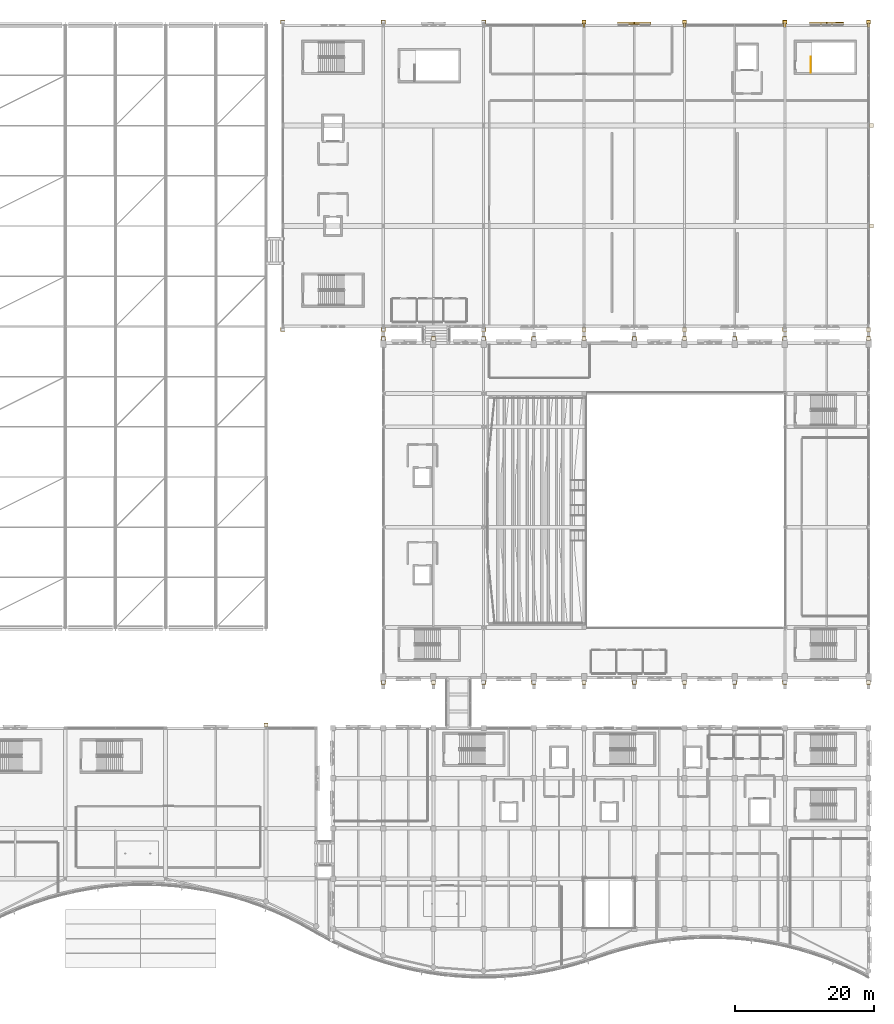
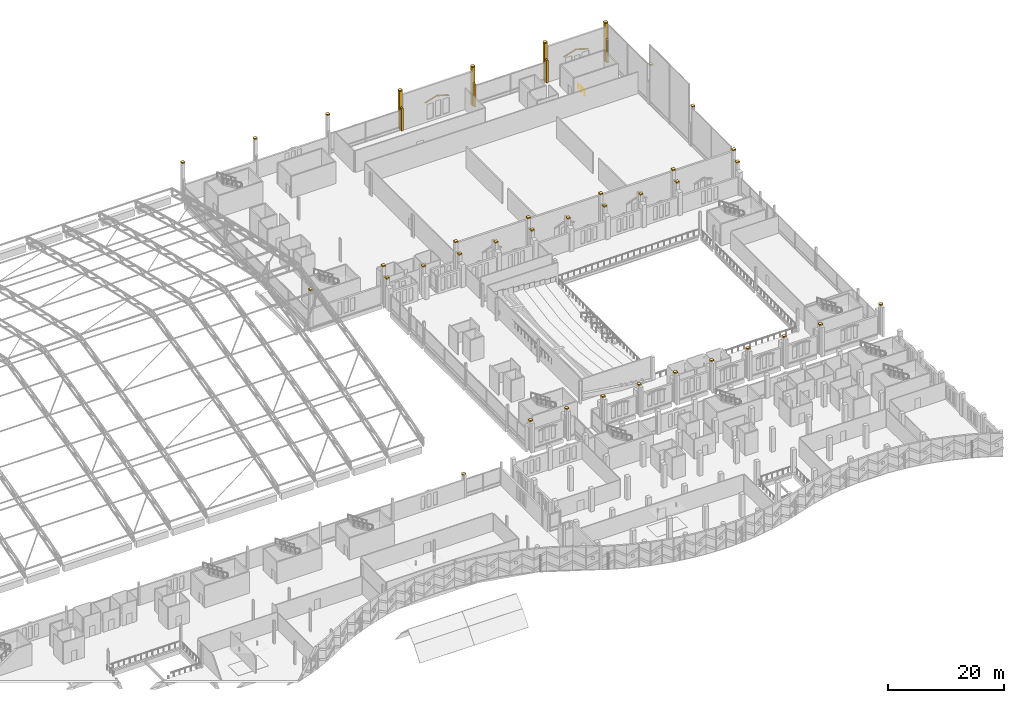
# One storey, part 193 of 193: 49 coverings, 1 railing.
"""IFC4 building model written with IfcOpenShell, lengths in metres."""

from ifc_helpers import new_model, si_unit, direction, frame, origin, origin_2d, place, context, subcontext, project, spatial, polyline, circle, outline, extrude, material, layer, layer_set, type_object, element, save


model = new_model("IFC4")

# Units and contexts
model_context = context("Model", 3, precision=1e-05, world=origin(), true_north=direction((0.0, 1.0)))
body_context = subcontext(model_context, "Body", "Model", "MODEL_VIEW")
ifc_project = project(units=[si_unit("LENGTHUNIT", "METRE"), si_unit("AREAUNIT", "SQUARE_METRE"), si_unit("VOLUMEUNIT", "CUBIC_METRE"), si_unit("PLANEANGLEUNIT", "RADIAN"), si_unit("MASSUNIT", "GRAM", prefix="KILO")], contexts=[model_context])

# Site, building, storey
site_placement = place(None, origin())
site = spatial("IfcSite", under=ifc_project, at=site_placement, CompositionType="ELEMENT")
building_placement = place(site_placement, origin())
building = spatial("IfcBuilding", under=site, at=building_placement, Name="Cendralis Lancet Convention Centre", CompositionType="ELEMENT")
storey_placement = place(building_placement, frame((0.0, 0.0, 10.199951171875)))
storey = spatial("IfcBuildingStorey", under=building, at=storey_placement, Name="L02", CompositionType="ELEMENT", Elevation=10.199951171875)

# Coverings
ifc_material_1 = material(Name="Warm buff sandstone chevron cassette", Category="masonry")
ifc_layer_1 = layer(ifc_material_1, 0.06005859375, Name="Warm buff sandstone chevron cassette")
ifc_layer_set_1 = layer_set([ifc_layer_1], Name="Warm buff sandstone chevron cassette")
covering_type_1 = type_object("IfcCoveringType", Name="ARC-CV-CLAD1", PredefinedType="CLADDING", material=ifc_layer_set_1)
covering_1_placement = place(storey_placement, frame((172.830078125, 137.239990234375, 3.8701171875), z_axis=(-0.291811246138, 0.0, 0.956475925796), x_axis=(0.0, -1.0, 0.0)))
element("IfcCovering", 1, at=covering_1_placement, inside=storey, type_object=covering_type_1, Name="L02 Gothic Pointed Lancet Hood-Mould #0207L", PredefinedType="CLADDING", context=body_context, shape_type="SweptSolid", body=[
    extrude(outline(polyline([(0.0, 0.0), (0.284912109375, 0.0), (0.284912109375, 2.4672479647474272), (0.0, 2.4672479647474272), (0.0, 0.0)])), origin(), (0.0, 0.0, -1.0), 0.090087890625),
])
covering_2_placement = place(storey_placement, frame((175.2099609375, 137.239990234375, 4.590087890625), z_axis=(0.291783629925, 0.0, 0.956484350791), x_axis=(0.0, -1.0, 0.0)))
element("IfcCovering", 2, at=covering_2_placement, inside=storey, type_object=covering_type_1, Name="L02 Gothic Pointed Lancet Hood-Mould #0208R", PredefinedType="CLADDING", context=body_context, shape_type="SweptSolid", body=[
    extrude(outline(polyline([(0.0, 0.0), (0.284912109375, 0.0), (0.284912109375, 2.467481480406239), (0.0, 2.467481480406239), (0.0, 0.0)])), origin(), (0.0, 0.0, -1.0), 0.090087890625),
])
for number, where, z_axis, x_axis, name in (
    (3, (200.360107421875, 137.239990234375, 3.900146484375), (-0.284085049763, 0.0, 0.958799084533), (0.0, -1.0, 0.0), "L02 Gothic Pointed Lancet Hood-Mould #0209L"),
    (4, (202.81005859375, 137.239990234375, 4.6201171875), (0.284085049763, 0.0, 0.958799084533), (0.0, -1.0, 0.0), "L02 Gothic Pointed Lancet Hood-Mould #0210R"),
):
    element("IfcCovering", number, at=place(storey_placement, frame(where, z_axis=z_axis, x_axis=x_axis)), inside=storey, type_object=covering_type_1, Name=name, PredefinedType="CLADDING", context=body_context, shape_type="SweptSolid", body=[
        extrude(outline(polyline([(0.0, 0.0), (0.284912109375, 0.0), (0.284912109375, 2.5343491455339793), (0.0, 2.5343491455339793), (0.0, 0.0)])), origin(), (0.0, 0.0, -1.0), 0.090087890625),
    ])
covering_3_placement = place(storey_placement, origin())
element("IfcCovering", 5, at=covering_3_placement, inside=storey, type_object=covering_type_1, Name="Gothic Stepped Stone Buttress Shaft #0058", PredefinedType="CLADDING", context=body_context, shape_type="SweptSolid", body=[
    extrude(outline(polyline([(168.280029296875, 137.47998046875), (167.719970703125, 137.47998046875), (167.719970703125, 136.949951171875), (168.280029296875, 136.949951171875), (168.280029296875, 137.47998046875)])), origin(), (0.0, 0.0, 1.0), 8.0),
])
covering_4_placement = place(storey_placement, origin())
element("IfcCovering", 6, at=covering_4_placement, inside=storey, type_object=covering_type_1, Name="Gothic Stepped Stone Buttress Shaft #0060", PredefinedType="CLADDING", context=body_context, shape_type="SweptSolid", body=[
    extrude(outline(polyline([(182.679931640625, 137.47998046875), (182.1201171875, 137.47998046875), (182.1201171875, 136.949951171875), (182.679931640625, 136.949951171875), (182.679931640625, 137.47998046875)])), origin(), (0.0, 0.0, 1.0), 8.0),
])
covering_5_placement = place(storey_placement, origin())
element("IfcCovering", 7, at=covering_5_placement, inside=storey, type_object=covering_type_1, Name="Gothic Stepped Stone Buttress Shaft #0062", PredefinedType="CLADDING", context=body_context, shape_type="SweptSolid", body=[
    extrude(outline(polyline([(197.080078125, 137.47998046875), (196.52001953125, 137.47998046875), (196.52001953125, 136.949951171875), (197.080078125, 136.949951171875), (197.080078125, 137.47998046875)])), origin(), (0.0, 0.0, 1.0), 8.0),
])
covering_6_placement = place(storey_placement, origin())
element("IfcCovering", 8, at=covering_6_placement, inside=storey, type_object=covering_type_1, Name="Gothic Stepped Stone Buttress Shaft #0064", PredefinedType="CLADDING", context=body_context, shape_type="SweptSolid", body=[
    extrude(outline(polyline([(209.080078125, 137.47998046875), (208.52001953125, 137.47998046875), (208.52001953125, 136.949951171875), (209.080078125, 136.949951171875), (209.080078125, 137.47998046875)])), origin(), (0.0, 0.0, 1.0), 8.0),
])
covering_7_placement = place(storey_placement, origin())
element("IfcCovering", 9, at=covering_7_placement, inside=storey, type_object=covering_type_1, Name="Exterior Column Stone Fire-Casing L02 #063", PredefinedType="CLADDING", context=body_context, shape_type="SweptSolid", body=[
    extrude(outline(polyline([(167.837890625, 136.462890625), (168.162109375, 136.462890625), (168.162109375, 137.136962890625), (167.837890625, 137.136962890625), (167.837890625, 136.462890625)])), origin(), (0.0, 0.0, 1.0), 4.800048828125),
])
covering_8_placement = place(storey_placement, origin())
element("IfcCovering", 10, at=covering_8_placement, inside=storey, type_object=covering_type_1, Name="Exterior Column Stone Fire-Casing L02 #069", PredefinedType="CLADDING", context=body_context, shape_type="SweptSolid", body=[
    extrude(outline(polyline([(182.238037109375, 136.462890625), (182.56201171875, 136.462890625), (182.56201171875, 137.136962890625), (182.238037109375, 137.136962890625), (182.238037109375, 136.462890625)])), origin(), (0.0, 0.0, 1.0), 4.800048828125),
])
covering_9_placement = place(storey_placement, origin())
element("IfcCovering", 11, at=covering_9_placement, inside=storey, type_object=covering_type_1, Name="Exterior Column Stone Fire-Casing L02 #075", PredefinedType="CLADDING", context=body_context, shape_type="SweptSolid", body=[
    extrude(outline(polyline([(196.637939453125, 136.462890625), (196.9619140625, 136.462890625), (196.9619140625, 137.136962890625), (196.637939453125, 137.136962890625), (196.637939453125, 136.462890625)])), origin(), (0.0, 0.0, 1.0), 4.800048828125),
])
covering_10_placement = place(storey_placement, origin())
element("IfcCovering", 12, at=covering_10_placement, inside=storey, type_object=covering_type_1, Name="Exterior Column Stone Fire-Casing L02 #087", PredefinedType="CLADDING", context=body_context, shape_type="SweptSolid", body=[
    extrude(outline(polyline([(208.637939453125, 136.462890625), (208.9619140625, 136.462890625), (208.9619140625, 137.136962890625), (208.637939453125, 137.136962890625), (208.637939453125, 136.462890625)])), origin(), (0.0, 0.0, 1.0), 4.800048828125),
])
ifc_material_2 = material(Name="Dark Andean slate chevron cassette", Category="masonry")
ifc_layer_2 = layer(ifc_material_2, 0.06005859375, Name="Dark Andean slate chevron cassette")
ifc_layer_set_2 = layer_set([ifc_layer_2], Name="Dark Andean slate chevron cassette")
covering_type_2 = type_object("IfcCoveringType", Name="ARC-CV-CLAD2", PredefinedType="CLADDING", material=ifc_layer_set_2)
covering_11_placement = place(storey_placement, frame((0.0, 0.0, 6.199951171875)))
element("IfcCovering", 13, at=covering_11_placement, inside=storey, type_object=covering_type_2, Name="Gothic Buttress Slate Pinnacle Cap #0031", PredefinedType="CLADDING", context=body_context, shape_type="SweptSolid", body=[
    extrude(outline(polyline([(138.889892578125, 42.239990234375), (139.510009765625, 42.239990234375), (139.510009765625, 42.830078125), (138.889892578125, 42.830078125), (138.889892578125, 42.239990234375)])), origin(), (0.0, 0.0, 1.0), 0.260009765625),
])
covering_12_placement = place(storey_placement, frame((0.0, 0.0, 6.199951171875)))
element("IfcCovering", 14, at=covering_12_placement, inside=storey, type_object=covering_type_2, Name="Gothic Buttress Slate Pinnacle Cap #0032", PredefinedType="CLADDING", context=body_context, shape_type="SweptSolid", body=[
    extrude(outline(polyline([(139.510009765625, 92.159912109375), (138.889892578125, 92.159912109375), (138.889892578125, 91.570068359375), (139.510009765625, 91.570068359375), (139.510009765625, 92.159912109375)])), origin(), (0.0, 0.0, 1.0), 0.260009765625),
])
covering_13_placement = place(storey_placement, frame((0.0, 0.0, 6.199951171875)))
element("IfcCovering", 15, at=covering_13_placement, inside=storey, type_object=covering_type_2, Name="Gothic Buttress Slate Pinnacle Cap #0033", PredefinedType="CLADDING", context=body_context, shape_type="SweptSolid", body=[
    extrude(outline(polyline([(146.090087890625, 42.239990234375), (146.7099609375, 42.239990234375), (146.7099609375, 42.830078125), (146.090087890625, 42.830078125), (146.090087890625, 42.239990234375)])), origin(), (0.0, 0.0, 1.0), 0.260009765625),
])
covering_14_placement = place(storey_placement, frame((0.0, 0.0, 6.199951171875)))
element("IfcCovering", 16, at=covering_14_placement, inside=storey, type_object=covering_type_2, Name="Gothic Buttress Slate Pinnacle Cap #0034", PredefinedType="CLADDING", context=body_context, shape_type="SweptSolid", body=[
    extrude(outline(polyline([(146.7099609375, 92.159912109375), (146.090087890625, 92.159912109375), (146.090087890625, 91.570068359375), (146.7099609375, 91.570068359375), (146.7099609375, 92.159912109375)])), origin(), (0.0, 0.0, 1.0), 0.260009765625),
])
covering_15_placement = place(storey_placement, frame((0.0, 0.0, 6.199951171875)))
element("IfcCovering", 17, at=covering_15_placement, inside=storey, type_object=covering_type_2, Name="Gothic Buttress Slate Pinnacle Cap #0035", PredefinedType="CLADDING", context=body_context, shape_type="SweptSolid", body=[
    extrude(outline(polyline([(153.2900390625, 42.239990234375), (153.909912109375, 42.239990234375), (153.909912109375, 42.830078125), (153.2900390625, 42.830078125), (153.2900390625, 42.239990234375)])), origin(), (0.0, 0.0, 1.0), 0.260009765625),
])
covering_16_placement = place(storey_placement, frame((0.0, 0.0, 6.199951171875)))
element("IfcCovering", 18, at=covering_16_placement, inside=storey, type_object=covering_type_2, Name="Gothic Buttress Slate Pinnacle Cap #0036", PredefinedType="CLADDING", context=body_context, shape_type="SweptSolid", body=[
    extrude(outline(polyline([(153.909912109375, 92.159912109375), (153.2900390625, 92.159912109375), (153.2900390625, 91.570068359375), (153.909912109375, 91.570068359375), (153.909912109375, 92.159912109375)])), origin(), (0.0, 0.0, 1.0), 0.260009765625),
])
covering_17_placement = place(storey_placement, frame((0.0, 0.0, 6.199951171875)))
element("IfcCovering", 19, at=covering_17_placement, inside=storey, type_object=covering_type_2, Name="Gothic Buttress Slate Pinnacle Cap #0037", PredefinedType="CLADDING", context=body_context, shape_type="SweptSolid", body=[
    extrude(outline(polyline([(160.489990234375, 42.239990234375), (161.110107421875, 42.239990234375), (161.110107421875, 42.830078125), (160.489990234375, 42.830078125), (160.489990234375, 42.239990234375)])), origin(), (0.0, 0.0, 1.0), 0.260009765625),
])
covering_18_placement = place(storey_placement, frame((0.0, 0.0, 6.199951171875)))
element("IfcCovering", 20, at=covering_18_placement, inside=storey, type_object=covering_type_2, Name="Gothic Buttress Slate Pinnacle Cap #0038", PredefinedType="CLADDING", context=body_context, shape_type="SweptSolid", body=[
    extrude(outline(polyline([(161.110107421875, 92.159912109375), (160.489990234375, 92.159912109375), (160.489990234375, 91.570068359375), (161.110107421875, 91.570068359375), (161.110107421875, 92.159912109375)])), origin(), (0.0, 0.0, 1.0), 0.260009765625),
])
covering_19_placement = place(storey_placement, frame((0.0, 0.0, 6.199951171875)))
element("IfcCovering", 21, at=covering_19_placement, inside=storey, type_object=covering_type_2, Name="Gothic Buttress Slate Pinnacle Cap #0039", PredefinedType="CLADDING", context=body_context, shape_type="SweptSolid", body=[
    extrude(outline(polyline([(167.68994140625, 42.239990234375), (168.31005859375, 42.239990234375), (168.31005859375, 42.830078125), (167.68994140625, 42.830078125), (167.68994140625, 42.239990234375)])), origin(), (0.0, 0.0, 1.0), 0.260009765625),
])
covering_20_placement = place(storey_placement, frame((0.0, 0.0, 6.199951171875)))
element("IfcCovering", 22, at=covering_20_placement, inside=storey, type_object=covering_type_2, Name="Gothic Buttress Slate Pinnacle Cap #0040", PredefinedType="CLADDING", context=body_context, shape_type="SweptSolid", body=[
    extrude(outline(polyline([(168.31005859375, 92.159912109375), (167.68994140625, 92.159912109375), (167.68994140625, 91.570068359375), (168.31005859375, 91.570068359375), (168.31005859375, 92.159912109375)])), origin(), (0.0, 0.0, 1.0), 0.260009765625),
])
covering_21_placement = place(storey_placement, frame((0.0, 0.0, 6.199951171875)))
element("IfcCovering", 23, at=covering_21_placement, inside=storey, type_object=covering_type_2, Name="Gothic Buttress Slate Pinnacle Cap #0041", PredefinedType="CLADDING", context=body_context, shape_type="SweptSolid", body=[
    extrude(outline(polyline([(174.889892578125, 42.239990234375), (175.510009765625, 42.239990234375), (175.510009765625, 42.830078125), (174.889892578125, 42.830078125), (174.889892578125, 42.239990234375)])), origin(), (0.0, 0.0, 1.0), 0.260009765625),
])
covering_22_placement = place(storey_placement, frame((0.0, 0.0, 6.199951171875)))
element("IfcCovering", 24, at=covering_22_placement, inside=storey, type_object=covering_type_2, Name="Gothic Buttress Slate Pinnacle Cap #0042", PredefinedType="CLADDING", context=body_context, shape_type="SweptSolid", body=[
    extrude(outline(polyline([(175.510009765625, 92.159912109375), (174.889892578125, 92.159912109375), (174.889892578125, 91.570068359375), (175.510009765625, 91.570068359375), (175.510009765625, 92.159912109375)])), origin(), (0.0, 0.0, 1.0), 0.260009765625),
])
covering_23_placement = place(storey_placement, frame((0.0, 0.0, 6.199951171875)))
element("IfcCovering", 25, at=covering_23_placement, inside=storey, type_object=covering_type_2, Name="Gothic Buttress Slate Pinnacle Cap #0043", PredefinedType="CLADDING", context=body_context, shape_type="SweptSolid", body=[
    extrude(outline(polyline([(182.090087890625, 42.239990234375), (182.7099609375, 42.239990234375), (182.7099609375, 42.830078125), (182.090087890625, 42.830078125), (182.090087890625, 42.239990234375)])), origin(), (0.0, 0.0, 1.0), 0.260009765625),
])
covering_24_placement = place(storey_placement, frame((0.0, 0.0, 6.199951171875)))
element("IfcCovering", 26, at=covering_24_placement, inside=storey, type_object=covering_type_2, Name="Gothic Buttress Slate Pinnacle Cap #0044", PredefinedType="CLADDING", context=body_context, shape_type="SweptSolid", body=[
    extrude(outline(polyline([(182.7099609375, 92.159912109375), (182.090087890625, 92.159912109375), (182.090087890625, 91.570068359375), (182.7099609375, 91.570068359375), (182.7099609375, 92.159912109375)])), origin(), (0.0, 0.0, 1.0), 0.260009765625),
])
covering_25_placement = place(storey_placement, frame((0.0, 0.0, 6.199951171875)))
element("IfcCovering", 27, at=covering_25_placement, inside=storey, type_object=covering_type_2, Name="Gothic Buttress Slate Pinnacle Cap #0045", PredefinedType="CLADDING", context=body_context, shape_type="SweptSolid", body=[
    extrude(outline(polyline([(189.2900390625, 42.239990234375), (189.909912109375, 42.239990234375), (189.909912109375, 42.830078125), (189.2900390625, 42.830078125), (189.2900390625, 42.239990234375)])), origin(), (0.0, 0.0, 1.0), 0.260009765625),
])
covering_26_placement = place(storey_placement, frame((0.0, 0.0, 6.199951171875)))
element("IfcCovering", 28, at=covering_26_placement, inside=storey, type_object=covering_type_2, Name="Gothic Buttress Slate Pinnacle Cap #0046", PredefinedType="CLADDING", context=body_context, shape_type="SweptSolid", body=[
    extrude(outline(polyline([(189.909912109375, 92.159912109375), (189.2900390625, 92.159912109375), (189.2900390625, 91.570068359375), (189.909912109375, 91.570068359375), (189.909912109375, 92.159912109375)])), origin(), (0.0, 0.0, 1.0), 0.260009765625),
])
covering_27_placement = place(storey_placement, frame((0.0, 0.0, 6.199951171875)))
element("IfcCovering", 29, at=covering_27_placement, inside=storey, type_object=covering_type_2, Name="Gothic Buttress Slate Pinnacle Cap #0047", PredefinedType="CLADDING", context=body_context, shape_type="SweptSolid", body=[
    extrude(outline(polyline([(196.489990234375, 42.239990234375), (197.110107421875, 42.239990234375), (197.110107421875, 42.830078125), (196.489990234375, 42.830078125), (196.489990234375, 42.239990234375)])), origin(), (0.0, 0.0, 1.0), 0.260009765625),
])
covering_28_placement = place(storey_placement, frame((0.0, 0.0, 6.199951171875)))
element("IfcCovering", 30, at=covering_28_placement, inside=storey, type_object=covering_type_2, Name="Gothic Buttress Slate Pinnacle Cap #0048", PredefinedType="CLADDING", context=body_context, shape_type="SweptSolid", body=[
    extrude(outline(polyline([(197.110107421875, 92.159912109375), (196.489990234375, 92.159912109375), (196.489990234375, 91.570068359375), (197.110107421875, 91.570068359375), (197.110107421875, 92.159912109375)])), origin(), (0.0, 0.0, 1.0), 0.260009765625),
])
covering_29_placement = place(storey_placement, frame((0.0, 0.0, 6.199951171875)))
element("IfcCovering", 31, at=covering_29_placement, inside=storey, type_object=covering_type_2, Name="Gothic Buttress Slate Pinnacle Cap #0049", PredefinedType="CLADDING", context=body_context, shape_type="SweptSolid", body=[
    extrude(outline(polyline([(208.489990234375, 42.239990234375), (209.110107421875, 42.239990234375), (209.110107421875, 42.830078125), (208.489990234375, 42.830078125), (208.489990234375, 42.239990234375)])), origin(), (0.0, 0.0, 1.0), 0.260009765625),
])
covering_30_placement = place(storey_placement, frame((0.0, 0.0, 6.199951171875)))
element("IfcCovering", 32, at=covering_30_placement, inside=storey, type_object=covering_type_2, Name="Gothic Buttress Slate Pinnacle Cap #0050", PredefinedType="CLADDING", context=body_context, shape_type="SweptSolid", body=[
    extrude(outline(polyline([(209.110107421875, 92.159912109375), (208.489990234375, 92.159912109375), (208.489990234375, 91.570068359375), (209.110107421875, 91.570068359375), (209.110107421875, 92.159912109375)])), origin(), (0.0, 0.0, 1.0), 0.260009765625),
])
covering_31_placement = place(storey_placement, frame((0.0, 0.0, 8.0)))
element("IfcCovering", 33, at=covering_31_placement, inside=storey, type_object=covering_type_2, Name="Gothic Buttress Slate Pinnacle Cap #0051", PredefinedType="CLADDING", context=body_context, shape_type="SweptSolid", body=[
    extrude(outline(polyline([(124.489990234375, 92.860107421875), (125.110107421875, 92.860107421875), (125.110107421875, 93.449951171875), (124.489990234375, 93.449951171875), (124.489990234375, 92.860107421875)])), origin(), (0.0, 0.0, 1.0), 0.260009765625),
])
covering_32_placement = place(storey_placement, frame((0.0, 0.0, 8.0)))
element("IfcCovering", 34, at=covering_32_placement, inside=storey, type_object=covering_type_2, Name="Gothic Buttress Slate Pinnacle Cap #0052", PredefinedType="CLADDING", context=body_context, shape_type="SweptSolid", body=[
    extrude(outline(polyline([(125.110107421875, 137.5400390625), (124.489990234375, 137.5400390625), (124.489990234375, 136.949951171875), (125.110107421875, 136.949951171875), (125.110107421875, 137.5400390625)])), origin(), (0.0, 0.0, 1.0), 0.260009765625),
])
covering_33_placement = place(storey_placement, frame((0.0, 0.0, 8.0)))
element("IfcCovering", 35, at=covering_33_placement, inside=storey, type_object=covering_type_2, Name="Gothic Buttress Slate Pinnacle Cap #0053", PredefinedType="CLADDING", context=body_context, shape_type="SweptSolid", body=[
    extrude(outline(polyline([(138.889892578125, 92.860107421875), (139.510009765625, 92.860107421875), (139.510009765625, 93.449951171875), (138.889892578125, 93.449951171875), (138.889892578125, 92.860107421875)])), origin(), (0.0, 0.0, 1.0), 0.260009765625),
])
covering_34_placement = place(storey_placement, frame((0.0, 0.0, 8.0)))
element("IfcCovering", 36, at=covering_34_placement, inside=storey, type_object=covering_type_2, Name="Gothic Buttress Slate Pinnacle Cap #0054", PredefinedType="CLADDING", context=body_context, shape_type="SweptSolid", body=[
    extrude(outline(polyline([(139.510009765625, 137.5400390625), (138.889892578125, 137.5400390625), (138.889892578125, 136.949951171875), (139.510009765625, 136.949951171875), (139.510009765625, 137.5400390625)])), origin(), (0.0, 0.0, 1.0), 0.260009765625),
])
covering_35_placement = place(storey_placement, frame((0.0, 0.0, 8.0)))
element("IfcCovering", 37, at=covering_35_placement, inside=storey, type_object=covering_type_2, Name="Gothic Buttress Slate Pinnacle Cap #0055", PredefinedType="CLADDING", context=body_context, shape_type="SweptSolid", body=[
    extrude(outline(polyline([(153.2900390625, 92.860107421875), (153.909912109375, 92.860107421875), (153.909912109375, 93.449951171875), (153.2900390625, 93.449951171875), (153.2900390625, 92.860107421875)])), origin(), (0.0, 0.0, 1.0), 0.260009765625),
])
covering_36_placement = place(storey_placement, frame((0.0, 0.0, 8.0)))
element("IfcCovering", 38, at=covering_36_placement, inside=storey, type_object=covering_type_2, Name="Gothic Buttress Slate Pinnacle Cap #0056", PredefinedType="CLADDING", context=body_context, shape_type="SweptSolid", body=[
    extrude(outline(polyline([(153.909912109375, 137.5400390625), (153.2900390625, 137.5400390625), (153.2900390625, 136.949951171875), (153.909912109375, 136.949951171875), (153.909912109375, 137.5400390625)])), origin(), (0.0, 0.0, 1.0), 0.260009765625),
])
covering_37_placement = place(storey_placement, frame((0.0, 0.0, 8.0)))
element("IfcCovering", 39, at=covering_37_placement, inside=storey, type_object=covering_type_2, Name="Gothic Buttress Slate Pinnacle Cap #0057", PredefinedType="CLADDING", context=body_context, shape_type="SweptSolid", body=[
    extrude(outline(polyline([(167.68994140625, 92.860107421875), (168.31005859375, 92.860107421875), (168.31005859375, 93.449951171875), (167.68994140625, 93.449951171875), (167.68994140625, 92.860107421875)])), origin(), (0.0, 0.0, 1.0), 0.260009765625),
])
covering_38_placement = place(storey_placement, frame((0.0, 0.0, 8.0)))
element("IfcCovering", 40, at=covering_38_placement, inside=storey, type_object=covering_type_2, Name="Gothic Buttress Slate Pinnacle Cap #0058", PredefinedType="CLADDING", context=body_context, shape_type="SweptSolid", body=[
    extrude(outline(polyline([(168.31005859375, 137.5400390625), (167.68994140625, 137.5400390625), (167.68994140625, 136.949951171875), (168.31005859375, 136.949951171875), (168.31005859375, 137.5400390625)])), origin(), (0.0, 0.0, 1.0), 0.260009765625),
])
covering_39_placement = place(storey_placement, frame((0.0, 0.0, 8.0)))
element("IfcCovering", 41, at=covering_39_placement, inside=storey, type_object=covering_type_2, Name="Gothic Buttress Slate Pinnacle Cap #0059", PredefinedType="CLADDING", context=body_context, shape_type="SweptSolid", body=[
    extrude(outline(polyline([(182.090087890625, 92.860107421875), (182.7099609375, 92.860107421875), (182.7099609375, 93.449951171875), (182.090087890625, 93.449951171875), (182.090087890625, 92.860107421875)])), origin(), (0.0, 0.0, 1.0), 0.260009765625),
])
covering_40_placement = place(storey_placement, frame((0.0, 0.0, 8.0)))
element("IfcCovering", 42, at=covering_40_placement, inside=storey, type_object=covering_type_2, Name="Gothic Buttress Slate Pinnacle Cap #0060", PredefinedType="CLADDING", context=body_context, shape_type="SweptSolid", body=[
    extrude(outline(polyline([(182.7099609375, 137.5400390625), (182.090087890625, 137.5400390625), (182.090087890625, 136.949951171875), (182.7099609375, 136.949951171875), (182.7099609375, 137.5400390625)])), origin(), (0.0, 0.0, 1.0), 0.260009765625),
])
covering_41_placement = place(storey_placement, frame((0.0, 0.0, 8.0)))
element("IfcCovering", 43, at=covering_41_placement, inside=storey, type_object=covering_type_2, Name="Gothic Buttress Slate Pinnacle Cap #0061", PredefinedType="CLADDING", context=body_context, shape_type="SweptSolid", body=[
    extrude(outline(polyline([(196.489990234375, 92.860107421875), (197.110107421875, 92.860107421875), (197.110107421875, 93.449951171875), (196.489990234375, 93.449951171875), (196.489990234375, 92.860107421875)])), origin(), (0.0, 0.0, 1.0), 0.260009765625),
])
covering_42_placement = place(storey_placement, frame((0.0, 0.0, 8.0)))
element("IfcCovering", 44, at=covering_42_placement, inside=storey, type_object=covering_type_2, Name="Gothic Buttress Slate Pinnacle Cap #0062", PredefinedType="CLADDING", context=body_context, shape_type="SweptSolid", body=[
    extrude(outline(polyline([(197.110107421875, 137.5400390625), (196.489990234375, 137.5400390625), (196.489990234375, 136.949951171875), (197.110107421875, 136.949951171875), (197.110107421875, 137.5400390625)])), origin(), (0.0, 0.0, 1.0), 0.260009765625),
])
covering_43_placement = place(storey_placement, frame((0.0, 0.0, 8.0)))
element("IfcCovering", 45, at=covering_43_placement, inside=storey, type_object=covering_type_2, Name="Gothic Buttress Slate Pinnacle Cap #0063", PredefinedType="CLADDING", context=body_context, shape_type="SweptSolid", body=[
    extrude(outline(polyline([(208.489990234375, 92.860107421875), (209.110107421875, 92.860107421875), (209.110107421875, 93.449951171875), (208.489990234375, 93.449951171875), (208.489990234375, 92.860107421875)])), origin(), (0.0, 0.0, 1.0), 0.260009765625),
])
covering_44_placement = place(storey_placement, frame((0.0, 0.0, 8.0)))
element("IfcCovering", 46, at=covering_44_placement, inside=storey, type_object=covering_type_2, Name="Gothic Buttress Slate Pinnacle Cap #0064", PredefinedType="CLADDING", context=body_context, shape_type="SweptSolid", body=[
    extrude(outline(polyline([(209.110107421875, 137.5400390625), (208.489990234375, 137.5400390625), (208.489990234375, 136.949951171875), (209.110107421875, 136.949951171875), (209.110107421875, 137.5400390625)])), origin(), (0.0, 0.0, 1.0), 0.260009765625),
])
covering_45_placement = place(storey_placement, frame((0.0, 0.0, 8.0)))
element("IfcCovering", 47, at=covering_45_placement, inside=storey, type_object=covering_type_2, Name="Gothic Buttress Slate Pinnacle Cap #0065", PredefinedType="CLADDING", context=body_context, shape_type="SweptSolid", body=[
    extrude(outline(polyline([(209.5400390625, 107.68994140625), (209.5400390625, 108.31005859375), (208.949951171875, 108.31005859375), (208.949951171875, 107.68994140625), (209.5400390625, 107.68994140625)])), origin(), (0.0, 0.0, 1.0), 0.260009765625),
])
covering_46_placement = place(storey_placement, frame((0.0, 0.0, 8.0)))
element("IfcCovering", 48, at=covering_46_placement, inside=storey, type_object=covering_type_2, Name="Gothic Buttress Slate Pinnacle Cap #0066", PredefinedType="CLADDING", context=body_context, shape_type="SweptSolid", body=[
    extrude(outline(polyline([(209.5400390625, 122.090087890625), (209.5400390625, 122.7099609375), (208.949951171875, 122.7099609375), (208.949951171875, 122.090087890625), (209.5400390625, 122.090087890625)])), origin(), (0.0, 0.0, 1.0), 0.260009765625),
])
covering_47_placement = place(storey_placement, frame((0.0, 0.0, 4.5)))
element("IfcCovering", 49, at=covering_47_placement, inside=storey, type_object=covering_type_2, Name="Gothic Buttress Slate Pinnacle Cap #0076", PredefinedType="CLADDING", context=body_context, shape_type="SweptSolid", body=[
    extrude(outline(polyline([(122.7099609375, 36.719970703125), (122.090087890625, 36.719970703125), (122.090087890625, 36.1298828125), (122.7099609375, 36.1298828125), (122.7099609375, 36.719970703125)])), origin(), (0.0, 0.0, 1.0), 0.260009765625),
])

# Railing
ifc_material_3 = material(Name="Steel S355", Category="steel")
railing_type = type_object("IfcRailingType", Name="ARC-RL-CGD", PredefinedType="GUARDRAIL", material=ifc_material_3)
railing_placement = place(storey_placement, frame((200.5, 130.0, 0.0)))
element("IfcRailing", 50, at=railing_placement, inside=storey, type_object=railing_type, Name="L02 ST-06 top well guard 1", PredefinedType="GUARDRAIL", context=body_context, shape_type="SweptSolid", body=[
    extrude(circle(Radius=0.02392578125, at=origin_2d()), frame((0.0, 0.0, 1.076171875), z_axis=(0.0, 1.0, 0.0), x_axis=(-1.0, 0.0, 0.0)), (0.0, 0.0, 1.0), 2.280029296875),
    extrude(circle(Radius=0.02099609375, at=origin_2d()), origin(), (0.0, 0.0, 1.0), 1.052001953125),
    extrude(circle(Radius=0.02099609375, at=origin_2d()), frame((0.0, 1.14013671875, 0.0)), (0.0, 0.0, 1.0), 1.052001953125),
    extrude(circle(Radius=0.02099609375, at=origin_2d()), frame((0.0, 2.280029296875, 0.0)), (0.0, 0.0, 1.0), 1.052001953125),
])

save(model, "model.ifc")
